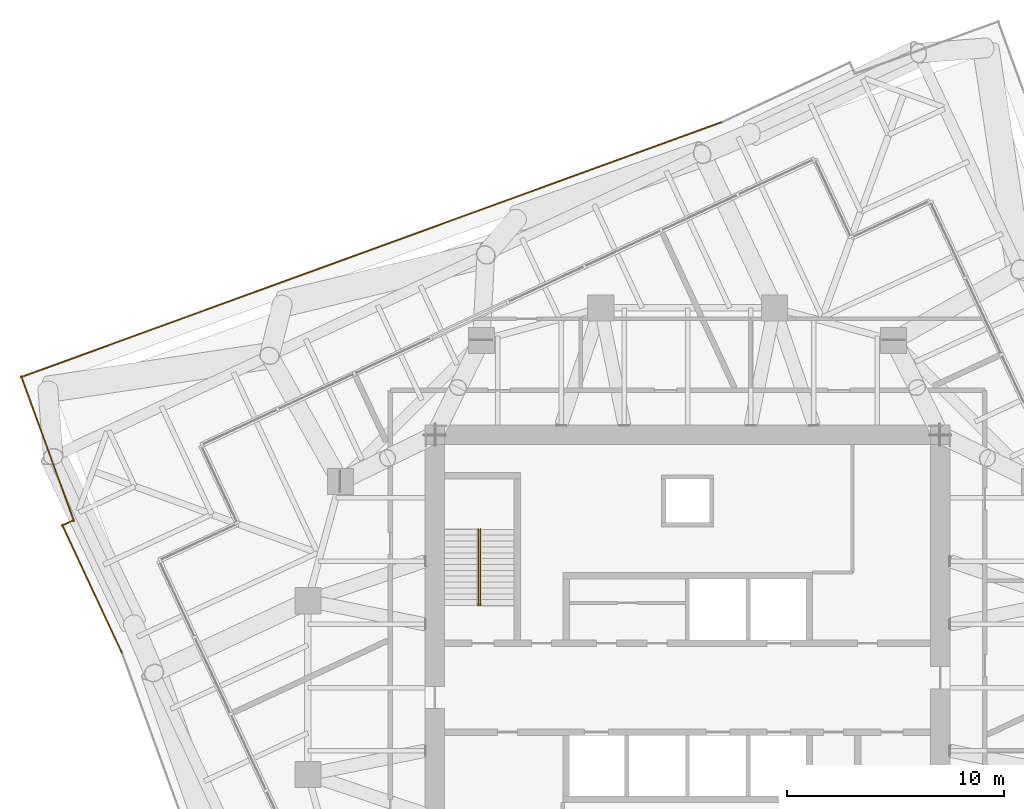
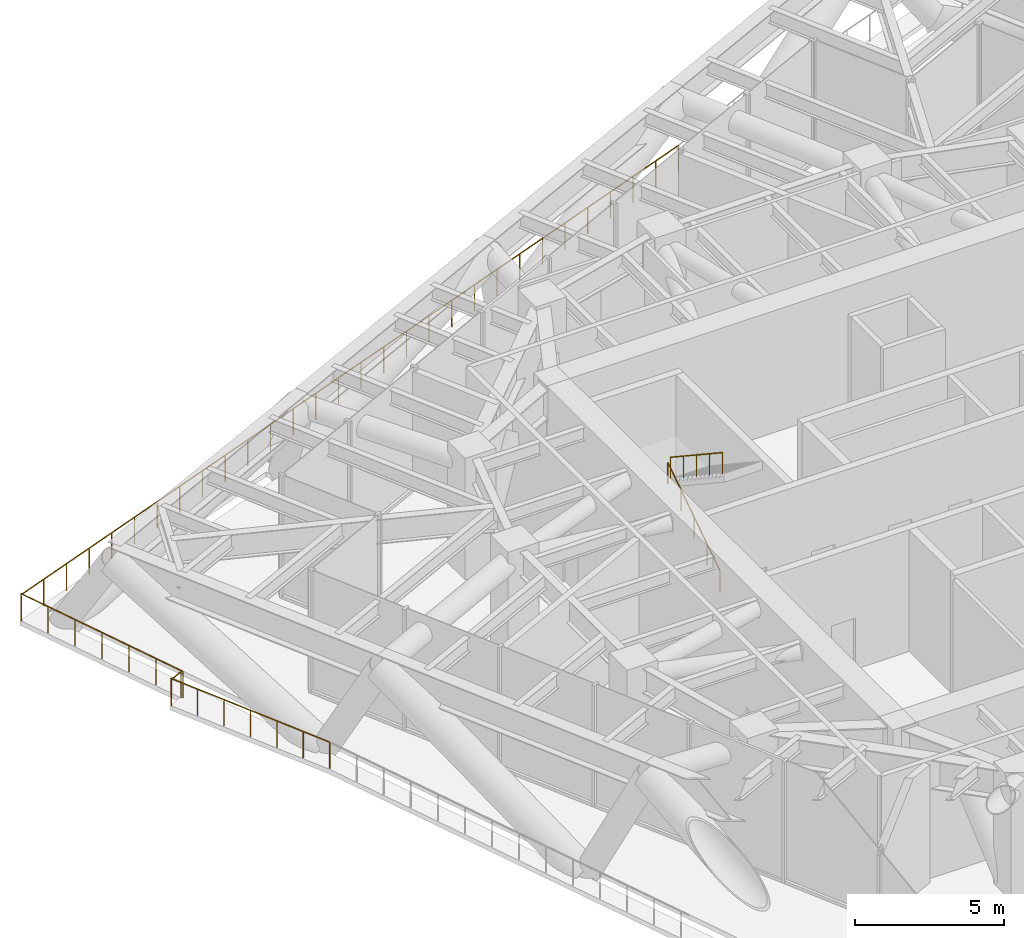
# One storey, part 15 of 16: 6 railings, 1 element without a shape of its own.
"""IFC4 building model written with IfcOpenShell, lengths in metres."""

from ifc_helpers import new_model, si_unit, direction, frame, origin, origin_2d, place, context, subcontext, project, spatial, circle, extrude, material, type_object, element, aggregate, save


model = new_model("IFC4")

# Units and contexts
model_context = context("Model", 3, precision=1e-05, world=origin(), true_north=direction((0.0, 1.0)))
body_context = subcontext(model_context, "Body", "Model", "MODEL_VIEW")
ifc_project = project(units=[si_unit("LENGTHUNIT", "METRE"), si_unit("AREAUNIT", "SQUARE_METRE"), si_unit("VOLUMEUNIT", "CUBIC_METRE"), si_unit("PLANEANGLEUNIT", "RADIAN"), si_unit("MASSUNIT", "GRAM", prefix="KILO")], contexts=[model_context])

# Site, building, storey
site_placement = place(None, origin())
site = spatial("IfcSite", under=ifc_project, at=site_placement, CompositionType="ELEMENT")
building_placement = place(site_placement, origin())
building = spatial("IfcBuilding", under=site, at=building_placement, Name="Torsade Residences", CompositionType="ELEMENT")
storey_placement = place(building_placement, frame((0.0, 0.0, 171.0)))
storey = spatial("IfcBuildingStorey", under=building, at=storey_placement, Name="L47", CompositionType="ELEMENT", Elevation=171.0)

# Railings
ifc_material_1 = material(Name="Galvanised steel guard rail", Category="steel")
railing_type_1 = type_object("IfcRailingType", Name="ROOF EDGE GUARD 1100", PredefinedType="GUARDRAIL", material=ifc_material_1)
railing_1_placement = place(storey_placement, frame((41.605712890625, 56.071533203125, 0.0)))
element("IfcRailing", 1, at=railing_1_placement, inside=storey, type_object=railing_type_1, Name="Roof edge guard L47 11", PredefinedType="GUARDRAIL", context=body_context, shape_type="SweptSolid", body=[
    extrude(circle(Radius=0.02392578125, at=origin_2d()), frame((0.0, 0.0, 1.076171875), z_axis=(-0.939691508323, -0.342023199778, 0.0), x_axis=(0.342023199778, -0.939691508323, 0.0)), (0.0, 0.0, 1.0), 34.42578125),
    extrude(circle(Radius=0.02099609375, at=origin_2d()), origin(), (0.0, 0.0, 1.0), 1.052001953125),
    extrude(circle(Radius=0.02099609375, at=origin_2d()), frame((-1.115478515625, -0.406005859375, 0.0)), (0.0, 0.0, 1.0), 1.052001953125),
    extrude(circle(Radius=0.02099609375, at=origin_2d()), frame((-2.23095703125, -0.81201171875, 0.0)), (0.0, 0.0, 1.0), 1.052001953125),
    extrude(circle(Radius=0.02099609375, at=origin_2d()), frame((-3.346435546875, -1.218017578125, 0.0)), (0.0, 0.0, 1.0), 1.052001953125),
    extrude(circle(Radius=0.02099609375, at=origin_2d()), frame((-4.4619140625, -1.6240234375, 0.0)), (0.0, 0.0, 1.0), 1.052001953125),
    extrude(circle(Radius=0.02099609375, at=origin_2d()), frame((-5.57763671875, -2.030029296875, 0.0)), (0.0, 0.0, 1.0), 1.052001953125),
    extrude(circle(Radius=0.02099609375, at=origin_2d()), frame((-6.693115234375, -2.43603515625, 0.0)), (0.0, 0.0, 1.0), 1.052001953125),
    extrude(circle(Radius=0.02099609375, at=origin_2d()), frame((-7.80859375, -2.842041015625, 0.0)), (0.0, 0.0, 1.0), 1.052001953125),
    extrude(circle(Radius=0.02099609375, at=origin_2d()), frame((-8.924072265625, -3.248046875, 0.0)), (0.0, 0.0, 1.0), 1.052001953125),
    extrude(circle(Radius=0.02099609375, at=origin_2d()), frame((-10.03955078125, -3.654052734375, 0.0)), (0.0, 0.0, 1.0), 1.052001953125),
    extrude(circle(Radius=0.02099609375, at=origin_2d()), frame((-11.155029296875, -4.06005859375, 0.0)), (0.0, 0.0, 1.0), 1.052001953125),
    extrude(circle(Radius=0.02099609375, at=origin_2d()), frame((-12.2705078125, -4.466064453125, 0.0)), (0.0, 0.0, 1.0), 1.052001953125),
    extrude(circle(Radius=0.02099609375, at=origin_2d()), frame((-13.385986328125, -4.8720703125, 0.0)), (0.0, 0.0, 1.0), 1.052001953125),
    extrude(circle(Radius=0.02099609375, at=origin_2d()), frame((-14.50146484375, -5.278076171875, 0.0)), (0.0, 0.0, 1.0), 1.052001953125),
    extrude(circle(Radius=0.02099609375, at=origin_2d()), frame((-15.616943359375, -5.68408203125, 0.0)), (0.0, 0.0, 1.0), 1.052001953125),
    extrude(circle(Radius=0.02099609375, at=origin_2d()), frame((-16.732666015625, -6.09033203125, 0.0)), (0.0, 0.0, 1.0), 1.052001953125),
    extrude(circle(Radius=0.02099609375, at=origin_2d()), frame((-17.84814453125, -6.496337890625, 0.0)), (0.0, 0.0, 1.0), 1.052001953125),
    extrude(circle(Radius=0.02099609375, at=origin_2d()), frame((-18.963623046875, -6.90234375, 0.0)), (0.0, 0.0, 1.0), 1.052001953125),
    extrude(circle(Radius=0.02099609375, at=origin_2d()), frame((-20.0791015625, -7.308349609375, 0.0)), (0.0, 0.0, 1.0), 1.052001953125),
    extrude(circle(Radius=0.02099609375, at=origin_2d()), frame((-21.194580078125, -7.71435546875, 0.0)), (0.0, 0.0, 1.0), 1.052001953125),
    extrude(circle(Radius=0.02099609375, at=origin_2d()), frame((-22.31005859375, -8.120361328125, 0.0)), (0.0, 0.0, 1.0), 1.052001953125),
    extrude(circle(Radius=0.02099609375, at=origin_2d()), frame((-23.425537109375, -8.5263671875, 0.0)), (0.0, 0.0, 1.0), 1.052001953125),
    extrude(circle(Radius=0.02099609375, at=origin_2d()), frame((-24.541015625, -8.932373046875, 0.0)), (0.0, 0.0, 1.0), 1.052001953125),
    extrude(circle(Radius=0.02099609375, at=origin_2d()), frame((-25.656494140625, -9.33837890625, 0.0)), (0.0, 0.0, 1.0), 1.052001953125),
    extrude(circle(Radius=0.02099609375, at=origin_2d()), frame((-26.77197265625, -9.744384765625, 0.0)), (0.0, 0.0, 1.0), 1.052001953125),
    extrude(circle(Radius=0.02099609375, at=origin_2d()), frame((-27.8876953125, -10.150390625, 0.0)), (0.0, 0.0, 1.0), 1.052001953125),
    extrude(circle(Radius=0.02099609375, at=origin_2d()), frame((-29.003173828125, -10.556396484375, 0.0)), (0.0, 0.0, 1.0), 1.052001953125),
    extrude(circle(Radius=0.02099609375, at=origin_2d()), frame((-30.11865234375, -10.96240234375, 0.0)), (0.0, 0.0, 1.0), 1.052001953125),
    extrude(circle(Radius=0.02099609375, at=origin_2d()), frame((-31.234130859375, -11.368408203125, 0.0)), (0.0, 0.0, 1.0), 1.052001953125),
    extrude(circle(Radius=0.02099609375, at=origin_2d()), frame((-32.349609375, -11.7744140625, 0.0)), (0.0, 0.0, 1.0), 1.052001953125),
])
railing_2_placement = place(storey_placement, frame((9.285888671875, 44.361328125, 0.0)))
element("IfcRailing", 2, at=railing_2_placement, inside=storey, type_object=railing_type_1, Name="Roof edge guard L47 12", PredefinedType="GUARDRAIL", context=body_context, shape_type="SweptSolid", body=[
    extrude(circle(Radius=0.02392578125, at=origin_2d()), frame((0.0, 0.0, 1.076171875), z_axis=(0.342026671864, -0.939690244567, 0.0), x_axis=(0.939690244567, 0.342026671864, 0.0)), (0.0, 0.0, 1.0), 7.118896484375),
    extrude(circle(Radius=0.02099609375, at=origin_2d()), origin(), (0.0, 0.0, 1.0), 1.052001953125),
    extrude(circle(Radius=0.02099609375, at=origin_2d()), frame((0.40576171875, -1.114990234375, 0.0)), (0.0, 0.0, 1.0), 1.052001953125),
    extrude(circle(Radius=0.02099609375, at=origin_2d()), frame((0.8115234375, -2.229736328125, 0.0)), (0.0, 0.0, 1.0), 1.052001953125),
    extrude(circle(Radius=0.02099609375, at=origin_2d()), frame((1.21728515625, -3.3447265625, 0.0)), (0.0, 0.0, 1.0), 1.052001953125),
    extrude(circle(Radius=0.02099609375, at=origin_2d()), frame((1.623291015625, -4.459716796875, 0.0)), (0.0, 0.0, 1.0), 1.052001953125),
    extrude(circle(Radius=0.02099609375, at=origin_2d()), frame((2.029052734375, -5.574462890625, 0.0)), (0.0, 0.0, 1.0), 1.052001953125),
    extrude(circle(Radius=0.02099609375, at=origin_2d()), frame((2.434814453125, -6.689453125, 0.0)), (0.0, 0.0, 1.0), 1.052001953125),
])
railing_3_placement = place(storey_placement, frame((11.663330078125, 37.695556640625, 0.0)))
element("IfcRailing", 3, at=railing_3_placement, inside=storey, type_object=railing_type_1, Name="Roof edge guard L47 13", PredefinedType="GUARDRAIL", context=body_context, shape_type="SweptSolid", body=[
    extrude(circle(Radius=0.02392578125, at=origin_2d()), frame((0.0, 0.0, 1.076171875), z_axis=(-0.90624871646, -0.422744915894, 0.0), x_axis=(0.422744915894, -0.90624871646, 0.0)), (0.0, 0.0, 1.0), 0.570556640625),
    extrude(circle(Radius=0.02099609375, at=origin_2d()), origin(), (0.0, 0.0, 1.0), 1.052001953125),
    extrude(circle(Radius=0.02099609375, at=origin_2d()), frame((-0.51708984375, -0.2412109375, 0.0)), (0.0, 0.0, 1.0), 1.052001953125),
])
railing_4_placement = place(storey_placement, frame((11.17041015625, 37.520751953125, 0.0)))
element("IfcRailing", 4, at=railing_4_placement, inside=storey, type_object=railing_type_1, Name="Roof edge guard L47 14", PredefinedType="GUARDRAIL", context=body_context, shape_type="SweptSolid", body=[
    extrude(circle(Radius=0.02392578125, at=origin_2d()), frame((0.0, 0.0, 1.076171875), z_axis=(0.422627419888, -0.906303516466, 0.0), x_axis=(0.906303516466, 0.422627419888, 0.0)), (0.0, 0.0, 1.0), 6.526611328125),
    extrude(circle(Radius=0.02099609375, at=origin_2d()), origin(), (0.0, 0.0, 1.0), 1.052001953125),
    extrude(circle(Radius=0.02099609375, at=origin_2d()), frame((0.459716796875, -0.98583984375, 0.0)), (0.0, 0.0, 1.0), 1.052001953125),
    extrude(circle(Radius=0.02099609375, at=origin_2d()), frame((0.91943359375, -1.9716796875, 0.0)), (0.0, 0.0, 1.0), 1.052001953125),
    extrude(circle(Radius=0.02099609375, at=origin_2d()), frame((1.379150390625, -2.95751953125, 0.0)), (0.0, 0.0, 1.0), 1.052001953125),
    extrude(circle(Radius=0.02099609375, at=origin_2d()), frame((1.8388671875, -3.943359375, 0.0)), (0.0, 0.0, 1.0), 1.052001953125),
    extrude(circle(Radius=0.02099609375, at=origin_2d()), frame((2.298583984375, -4.92919921875, 0.0)), (0.0, 0.0, 1.0), 1.052001953125),
    extrude(circle(Radius=0.02099609375, at=origin_2d()), frame((2.75830078125, -5.9150390625, 0.0)), (0.0, 0.0, 1.0), 1.052001953125),
])

# Stair, railings
ifc_material_2 = material(Name="Precast concrete 40 MPa", Category="concrete")
stair_type = type_object("IfcStairType", Name="HALF-TURN FIRE STAIR 1500x5000", PredefinedType="HALF_TURN_STAIR", material=ifc_material_2)
stair_placement = place(storey_placement, origin())
stair = element("IfcStair", 5, at=stair_placement, inside=storey, type_object=stair_type, Name="Stair ST1 L47", PredefinedType="HALF_TURN_STAIR")
ifc_material_3 = material(Name="Steel handrail", Category="steel")
railing_type_2 = type_object("IfcRailingType", Name="STAIR HANDRAIL 900", PredefinedType="HANDRAIL", material=ifc_material_3)
railing_5_placement = place(storey_placement, frame((30.35009765625, 33.780029296875, 0.178466796875)))
railing_5 = element("IfcRailing", 6, at=railing_5_placement, type_object=railing_type_2, Name="Handrail ST1 flight 1 L47", PredefinedType="HANDRAIL", context=body_context, shape_type="SweptSolid", body=[
    extrude(circle(Radius=0.02392578125, at=origin_2d()), frame((0.0, 0.0, 0.8759765625), z_axis=(0.0, 0.834070780157, 0.551657442339), x_axis=(-1.0, 0.0, 0.0)), (0.0, 0.0, 1.0), 4.208251953125),
    extrude(circle(Radius=0.02099609375, at=origin_2d()), origin(), (0.0, 0.0, 1.0), 0.851806640625),
    extrude(circle(Radius=0.02099609375, at=origin_2d()), frame((0.0, 0.87744140625, 0.580322265625)), (0.0, 0.0, 1.0), 0.851806640625),
    extrude(circle(Radius=0.02099609375, at=origin_2d()), frame((0.0, 1.7548828125, 1.16064453125)), (0.0, 0.0, 1.0), 0.851806640625),
    extrude(circle(Radius=0.02099609375, at=origin_2d()), frame((0.0, 2.632568359375, 1.7412109375)), (0.0, 0.0, 1.0), 0.851806640625),
    extrude(circle(Radius=0.02099609375, at=origin_2d()), frame((0.0, 3.510009765625, 2.321533203125)), (0.0, 0.0, 1.0), 0.851806640625),
])
railing_6_placement = place(storey_placement, frame((30.449951171875, 37.2900390625, 2.678466796875)))
railing_6 = element("IfcRailing", 7, at=railing_6_placement, type_object=railing_type_2, Name="Handrail ST1 flight 2 L47", PredefinedType="HANDRAIL", context=body_context, shape_type="SweptSolid", body=[
    extrude(circle(Radius=0.02392578125, at=origin_2d()), frame((0.0, 0.0, 0.8759765625), z_axis=(0.0, -0.834070780157, 0.551657442339), x_axis=(1.0, 0.0, 0.0)), (0.0, 0.0, 1.0), 4.208251953125),
    extrude(circle(Radius=0.02099609375, at=origin_2d()), origin(), (0.0, 0.0, 1.0), 0.851806640625),
    extrude(circle(Radius=0.02099609375, at=origin_2d()), frame((0.0, -0.87744140625, 0.580322265625)), (0.0, 0.0, 1.0), 0.851806640625),
    extrude(circle(Radius=0.02099609375, at=origin_2d()), frame((0.0, -1.7548828125, 1.16064453125)), (0.0, 0.0, 1.0), 0.851806640625),
    extrude(circle(Radius=0.02099609375, at=origin_2d()), frame((0.0, -2.632568359375, 1.7412109375)), (0.0, 0.0, 1.0), 0.851806640625),
    extrude(circle(Radius=0.02099609375, at=origin_2d()), frame((0.0, -3.510009765625, 2.321533203125)), (0.0, 0.0, 1.0), 0.851806640625),
])
aggregate(stair, [railing_5, railing_6])

save(model, "model.ifc")
